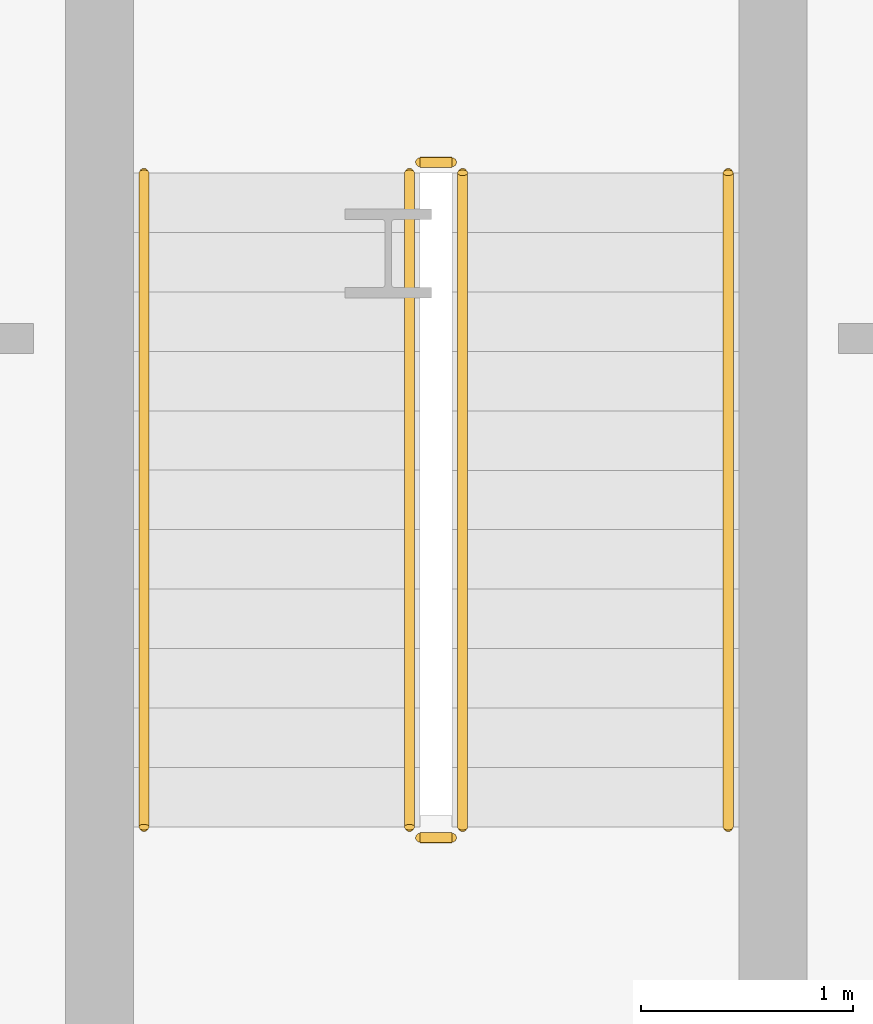
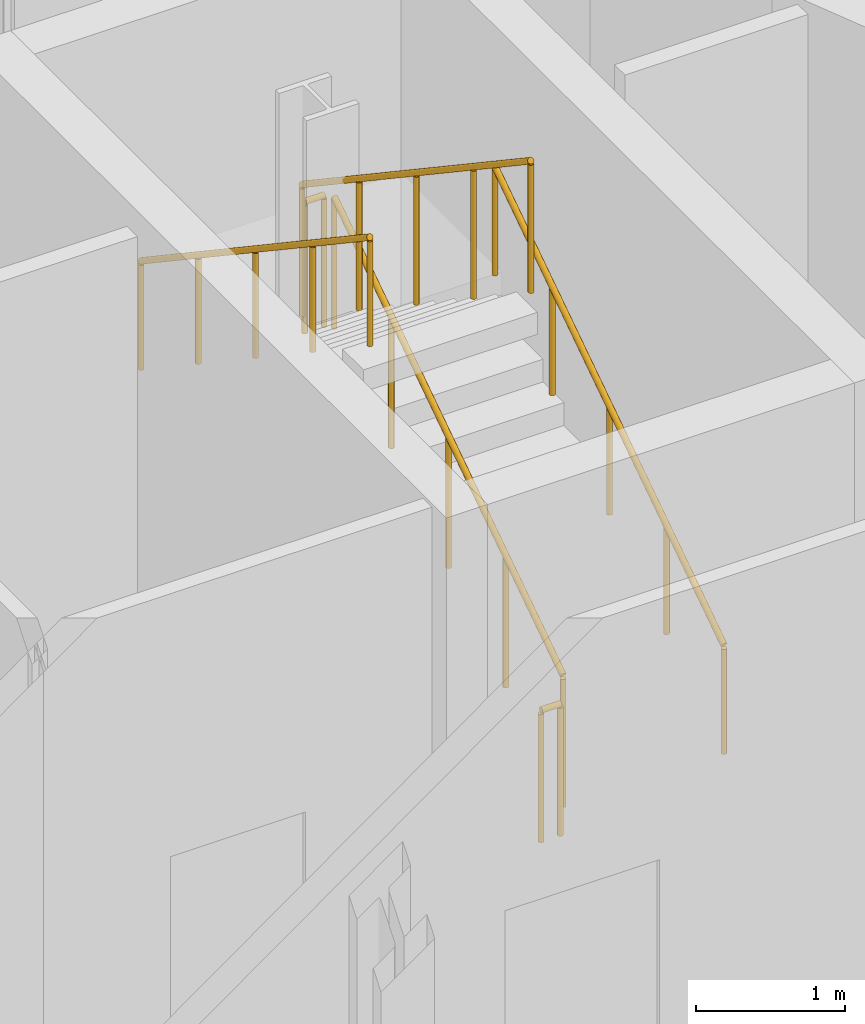
# One storey, part 26 of 26: 6 railings.
"""IFC4 building model written with IfcOpenShell, lengths in metres."""

from ifc_helpers import new_model, si_unit, direction, frame, origin, origin_2d, place, context, subcontext, project, spatial, circle, extrude, material, type_object, element, save


model = new_model("IFC4")

# Units and contexts
model_context = context("Model", 3, precision=1e-05, world=origin(), true_north=direction((0.0, 1.0)))
body_context = subcontext(model_context, "Body", "Model", "MODEL_VIEW")
ifc_project = project(units=[si_unit("LENGTHUNIT", "METRE"), si_unit("AREAUNIT", "SQUARE_METRE"), si_unit("VOLUMEUNIT", "CUBIC_METRE"), si_unit("PLANEANGLEUNIT", "RADIAN"), si_unit("MASSUNIT", "GRAM", prefix="KILO")], contexts=[model_context])

# Site, building, storey
site_placement = place(None, origin())
site = spatial("IfcSite", under=ifc_project, at=site_placement, CompositionType="ELEMENT")
building_placement = place(site_placement, origin())
building = spatial("IfcBuilding", under=site, at=building_placement, Name="Brevholm Reach", CompositionType="ELEMENT")
storey_placement = place(building_placement, frame((0.0, 0.0, 18.0)))
storey = spatial("IfcBuildingStorey", under=building, at=storey_placement, Name="L04", CompositionType="ELEMENT", Elevation=18.0)

# Railings
ifc_material_1 = material(Name="Brushed Stainless Steel EN 1.4401 Continuous Handrail", Category="steel")
railing_type_1 = type_object("IfcRailingType", Name="RAL-HND-950", PredefinedType="HANDRAIL", material=ifc_material_1)
railing_1_placement = place(storey_placement, frame((58.60009765625, 34.5, 0.1875)))
element("IfcRailing", 1, at=railing_1_placement, inside=storey, type_object=railing_type_1, Name="L04 ST-S4 stair handrail 1", PredefinedType="HANDRAIL", context=body_context, shape_type="SweptSolid", body=[
    extrude(circle(Radius=0.02392578125, at=origin_2d()), frame((0.0, 0.0, 0.8857421875), z_axis=(0.0, 0.830913701846, 0.55640131208), x_axis=(-1.0, 0.0, 0.0)), (0.0, 0.0, 1.0), 3.706787109375),
    extrude(circle(Radius=0.02099609375, at=origin_2d()), origin(), (0.0, 0.0, 1.0), 0.86181640625),
    extrude(circle(Radius=0.02099609375, at=origin_2d()), frame((0.0, 0.77001953125, 0.515625)), (0.0, 0.0, 1.0), 0.86181640625),
    extrude(circle(Radius=0.02099609375, at=origin_2d()), frame((0.0, 1.5400390625, 1.03125)), (0.0, 0.0, 1.0), 0.86181640625),
    extrude(circle(Radius=0.02099609375, at=origin_2d()), frame((0.0, 2.31005859375, 1.546875)), (0.0, 0.0, 1.0), 0.86181640625),
    extrude(circle(Radius=0.02099609375, at=origin_2d()), frame((0.0, 3.080078125, 2.0625)), (0.0, 0.0, 1.0), 0.86181640625),
])
railing_2_placement = place(storey_placement, frame((55.85009765625, 37.580078125, 2.4375)))
element("IfcRailing", 2, at=railing_2_placement, inside=storey, type_object=railing_type_1, Name="L04 ST-S4 stair handrail 2", PredefinedType="HANDRAIL", context=body_context, shape_type="SweptSolid", body=[
    extrude(circle(Radius=0.02392578125, at=origin_2d()), frame((0.0, 0.0, 0.8857421875), z_axis=(0.0, -0.830913701846, 0.55640131208), x_axis=(1.0, 0.0, 0.0)), (0.0, 0.0, 1.0), 3.706787109375),
    extrude(circle(Radius=0.02099609375, at=origin_2d()), origin(), (0.0, 0.0, 1.0), 0.86181640625),
    extrude(circle(Radius=0.02099609375, at=origin_2d()), frame((0.0, -0.77001953125, 0.515625)), (0.0, 0.0, 1.0), 0.86181640625),
    extrude(circle(Radius=0.02099609375, at=origin_2d()), frame((0.0, -1.5400390625, 1.03125)), (0.0, 0.0, 1.0), 0.86181640625),
    extrude(circle(Radius=0.02099609375, at=origin_2d()), frame((0.0, -2.31005859375, 1.546875)), (0.0, 0.0, 1.0), 0.86181640625),
    extrude(circle(Radius=0.02099609375, at=origin_2d()), frame((0.0, -3.080078125, 2.0625)), (0.0, 0.0, 1.0), 0.86181640625),
])
ifc_material_2 = material(Name="Painted Tubular Galvanised Steel S275JR Stair Guard", Category="steel")
railing_type_2 = type_object("IfcRailingType", Name="RAL-STG-1120", PredefinedType="BALUSTRADE", material=ifc_material_2)
railing_3_placement = place(storey_placement, frame((57.35009765625, 34.5, 0.1875)))
element("IfcRailing", 3, at=railing_3_placement, inside=storey, type_object=railing_type_2, Name="L04 ST-S4 stair guard 1", PredefinedType="BALUSTRADE", context=body_context, shape_type="SweptSolid", body=[
    extrude(circle(Radius=0.02392578125, at=origin_2d()), frame((0.0, 0.0, 1.076171875), z_axis=(0.0, 0.830913701846, 0.55640131208), x_axis=(-1.0, 0.0, 0.0)), (0.0, 0.0, 1.0), 3.706787109375),
    extrude(circle(Radius=0.02099609375, at=origin_2d()), origin(), (0.0, 0.0, 1.0), 1.052001953125),
    extrude(circle(Radius=0.02099609375, at=origin_2d()), frame((0.0, 0.77001953125, 0.515625)), (0.0, 0.0, 1.0), 1.052001953125),
    extrude(circle(Radius=0.02099609375, at=origin_2d()), frame((0.0, 1.5400390625, 1.03125)), (0.0, 0.0, 1.0), 1.052001953125),
    extrude(circle(Radius=0.02099609375, at=origin_2d()), frame((0.0, 2.31005859375, 1.546875)), (0.0, 0.0, 1.0), 1.052001953125),
    extrude(circle(Radius=0.02099609375, at=origin_2d()), frame((0.0, 3.080078125, 2.0625)), (0.0, 0.0, 1.0), 1.052001953125),
])
railing_4_placement = place(storey_placement, frame((57.300048828125, 37.6298828125, 2.25)))
element("IfcRailing", 4, at=railing_4_placement, inside=storey, type_object=railing_type_2, Name="L04 ST-S4 stair guard 2", PredefinedType="BALUSTRADE", context=body_context, shape_type="SweptSolid", body=[
    extrude(circle(Radius=0.02392578125, at=origin_2d()), frame((0.0, 0.0, 1.076171875), z_axis=(-1.0, 0.0, 0.0), x_axis=(0.0, -1.0, 0.0)), (0.0, 0.0, 1.0), 0.150146484375),
    extrude(circle(Radius=0.02099609375, at=origin_2d()), origin(), (0.0, 0.0, 1.0), 1.052001953125),
    extrude(circle(Radius=0.02099609375, at=origin_2d()), frame((-0.150146484375, 0.0, 0.0)), (0.0, 0.0, 1.0), 1.052001953125),
])
railing_5_placement = place(storey_placement, frame((57.10009765625, 37.580078125, 2.4375)))
element("IfcRailing", 5, at=railing_5_placement, inside=storey, type_object=railing_type_2, Name="L04 ST-S4 stair guard 3", PredefinedType="BALUSTRADE", context=body_context, shape_type="SweptSolid", body=[
    extrude(circle(Radius=0.02392578125, at=origin_2d()), frame((0.0, 0.0, 1.076171875), z_axis=(0.0, -0.830913701846, 0.55640131208), x_axis=(1.0, 0.0, 0.0)), (0.0, 0.0, 1.0), 3.706787109375),
    extrude(circle(Radius=0.02099609375, at=origin_2d()), origin(), (0.0, 0.0, 1.0), 1.052001953125),
    extrude(circle(Radius=0.02099609375, at=origin_2d()), frame((0.0, -0.77001953125, 0.515625)), (0.0, 0.0, 1.0), 1.052001953125),
    extrude(circle(Radius=0.02099609375, at=origin_2d()), frame((0.0, -1.5400390625, 1.03125)), (0.0, 0.0, 1.0), 1.052001953125),
    extrude(circle(Radius=0.02099609375, at=origin_2d()), frame((0.0, -2.31005859375, 1.546875)), (0.0, 0.0, 1.0), 1.052001953125),
    extrude(circle(Radius=0.02099609375, at=origin_2d()), frame((0.0, -3.080078125, 2.0625)), (0.0, 0.0, 1.0), 1.052001953125),
])
railing_6_placement = place(storey_placement, frame((57.300048828125, 34.449951171875, 0.0)))
element("IfcRailing", 6, at=railing_6_placement, inside=storey, type_object=railing_type_2, Name="L04 ST-S4 stair guard 4", PredefinedType="BALUSTRADE", context=body_context, shape_type="SweptSolid", body=[
    extrude(circle(Radius=0.02392578125, at=origin_2d()), frame((0.0, 0.0, 1.076171875), z_axis=(-1.0, 0.0, 0.0), x_axis=(0.0, -1.0, 0.0)), (0.0, 0.0, 1.0), 0.150146484375),
    extrude(circle(Radius=0.02099609375, at=origin_2d()), origin(), (0.0, 0.0, 1.0), 1.052001953125),
    extrude(circle(Radius=0.02099609375, at=origin_2d()), frame((-0.150146484375, 0.0, 0.0)), (0.0, 0.0, 1.0), 1.052001953125),
])

save(model, "model.ifc")
